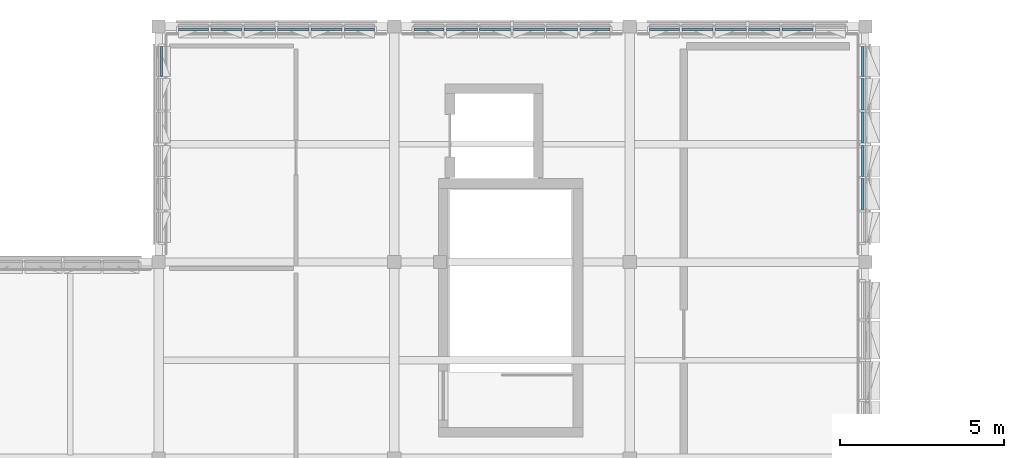
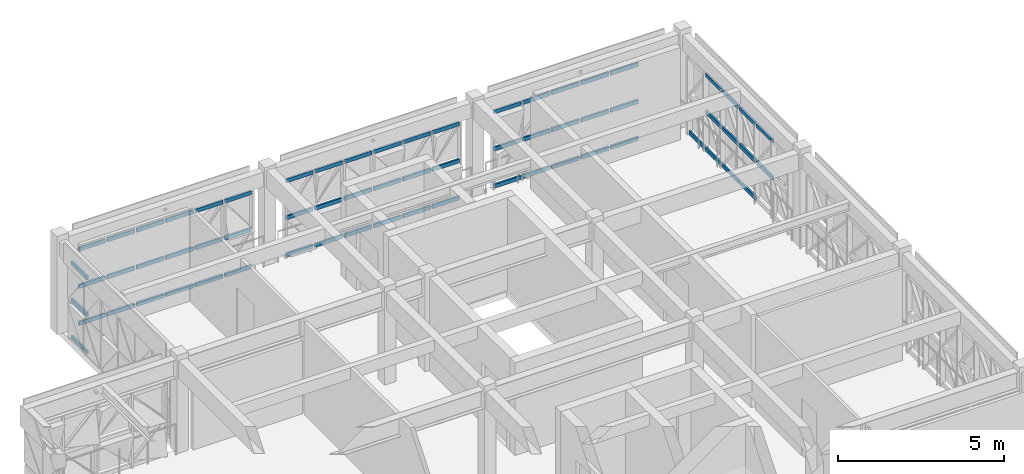
# One storey, part 10 of 25: 66 members, 5 elements without a shape of their own.
"""IFC4 building model written with IfcOpenShell, lengths in metres."""

from ifc_helpers import new_model, si_unit, direction, frame, origin, origin_2d, place, context, subcontext, project, spatial, rectangle, extrude, material, material_profile, profile_set, type_object, element, aggregate, save


model = new_model("IFC4")

# Units and contexts
model_context = context("Model", 3, precision=1e-05, world=origin(), true_north=direction((0.0, 1.0)))
body_context = subcontext(model_context, "Body", "Model", "MODEL_VIEW")
ifc_project = project(units=[si_unit("LENGTHUNIT", "METRE"), si_unit("AREAUNIT", "SQUARE_METRE"), si_unit("VOLUMEUNIT", "CUBIC_METRE"), si_unit("PLANEANGLEUNIT", "RADIAN"), si_unit("MASSUNIT", "GRAM", prefix="KILO")], contexts=[model_context])

# Site, building, storey
site_placement = place(None, origin())
site = spatial("IfcSite", under=ifc_project, at=site_placement, CompositionType="ELEMENT")
building_placement = place(site_placement, origin())
building = spatial("IfcBuilding", under=site, at=building_placement, Name="Alvorim Cloister Faculty of Sciences", CompositionType="ELEMENT")
storey_placement = place(building_placement, frame((0.0, 0.0, 29.699951171875)))
storey = spatial("IfcBuildingStorey", under=building, at=storey_placement, Name="L08", CompositionType="ELEMENT", Elevation=29.699951171875)

# Curtain wall, members
ifc_material_1 = material(Name="Aluminium and Low-E Glass Curtain Wall", Category="aluminium")
curtain_wall_type = type_object("IfcCurtainWallType", Name="CW-TRI-6120x2860", PredefinedType="USERDEFINED", material=ifc_material_1)
curtain_wall_1_placement = place(storey_placement, origin())
curtain_wall_1 = element("IfcCurtainWall", 1, at=curtain_wall_1_placement, inside=storey, type_object=curtain_wall_type, Name="L08 Diagonal Cassette Curtain Wall CW-0286", ObjectType="UNITISED CURTAIN WALL", PredefinedType="USERDEFINED")
ifc_material_2 = material(Name="Aluminium Alloy 6063-T6", Category="aluminium")
ifc_material_profile = material_profile(ifc_material_2, rectangle(XDim=0.06494140625, YDim=0.139892578125, at=origin_2d()), Name="ALU-TRN-65x140")
ifc_profile_set = profile_set([ifc_material_profile], Name="Aluminium Alloy 6063-T6")
member_type = type_object("IfcMemberType", Name="CW-TRN-65x140", PredefinedType="USERDEFINED", material=ifc_profile_set)
member_1_placement = place(storey_placement, frame((7.2900390625, 54.87255859375, 0.070068359375), z_axis=(0.0, 1.0, 0.0), x_axis=(-1.0, 0.0, 0.0)))
member_1 = element("IfcMember", 2, at=member_1_placement, type_object=member_type, Name="CW-0286 Transom 6.1", ObjectType="TRANSOM", PredefinedType="USERDEFINED", context=body_context, shape_type="SweptSolid", body=[
    extrude(rectangle(XDim=0.06494140625, YDim=0.139892578125, at=origin_2d()), origin(), (0.0, 0.0, 1.0), 0.92236328125),
])
member_2_placement = place(storey_placement, frame((7.2900390625, 54.87255859375, 1.429931640625), z_axis=(0.0, 1.0, 0.0), x_axis=(-1.0, 0.0, 0.0)))
member_2 = element("IfcMember", 3, at=member_2_placement, type_object=member_type, Name="CW-0286 Transom 6.2", ObjectType="TRANSOM", PredefinedType="USERDEFINED", context=body_context, shape_type="SweptSolid", body=[
    extrude(rectangle(XDim=0.06494140625, YDim=0.139892578125, at=origin_2d()), origin(), (0.0, 0.0, 1.0), 0.92236328125),
])
member_3_placement = place(storey_placement, frame((7.2900390625, 54.87255859375, 2.7900390625), z_axis=(0.0, 1.0, 0.0), x_axis=(-1.0, 0.0, 0.0)))
member_3 = element("IfcMember", 4, at=member_3_placement, type_object=member_type, Name="CW-0286 Transom 6.3", ObjectType="TRANSOM", PredefinedType="USERDEFINED", context=body_context, shape_type="SweptSolid", body=[
    extrude(rectangle(XDim=0.06494140625, YDim=0.139892578125, at=origin_2d()), origin(), (0.0, 0.0, 1.0), 0.92236328125),
])
aggregate(curtain_wall_1, [member_1, member_2, member_3])

curtain_wall_2_placement = place(storey_placement, origin())
curtain_wall_2 = element("IfcCurtainWall", 5, at=curtain_wall_2_placement, inside=storey, type_object=curtain_wall_type, Name="L08 Diagonal Cassette Curtain Wall CW-0287", ObjectType="UNITISED CURTAIN WALL", PredefinedType="USERDEFINED")
member_4_placement = place(storey_placement, frame((7.804931640625, 56.31005859375, 0.070068359375), z_axis=(1.0, 0.0, 0.0), x_axis=(0.0, 1.0, 0.0)))
member_4 = element("IfcMember", 6, at=member_4_placement, type_object=member_type, Name="CW-0287 Transom 1.1", ObjectType="TRANSOM", PredefinedType="USERDEFINED", context=body_context, shape_type="SweptSolid", body=[
    extrude(rectangle(XDim=0.06494140625, YDim=0.139892578125, at=origin_2d()), origin(), (0.0, 0.0, 1.0), 0.922607421875),
])
member_5_placement = place(storey_placement, frame((7.804931640625, 56.31005859375, 1.429931640625), z_axis=(1.0, 0.0, 0.0), x_axis=(0.0, 1.0, 0.0)))
member_5 = element("IfcMember", 7, at=member_5_placement, type_object=member_type, Name="CW-0287 Transom 1.2", ObjectType="TRANSOM", PredefinedType="USERDEFINED", context=body_context, shape_type="SweptSolid", body=[
    extrude(rectangle(XDim=0.06494140625, YDim=0.139892578125, at=origin_2d()), origin(), (0.0, 0.0, 1.0), 0.922607421875),
])
member_6_placement = place(storey_placement, frame((7.804931640625, 56.31005859375, 2.7900390625), z_axis=(1.0, 0.0, 0.0), x_axis=(0.0, 1.0, 0.0)))
member_6 = element("IfcMember", 8, at=member_6_placement, type_object=member_type, Name="CW-0287 Transom 1.3", ObjectType="TRANSOM", PredefinedType="USERDEFINED", context=body_context, shape_type="SweptSolid", body=[
    extrude(rectangle(XDim=0.06494140625, YDim=0.139892578125, at=origin_2d()), origin(), (0.0, 0.0, 1.0), 0.922607421875),
])
member_7_placement = place(storey_placement, frame((8.79248046875, 56.31005859375, 0.070068359375), z_axis=(1.0, 0.0, 0.0), x_axis=(0.0, 1.0, 0.0)))
member_7 = element("IfcMember", 9, at=member_7_placement, type_object=member_type, Name="CW-0287 Transom 2.1", ObjectType="TRANSOM", PredefinedType="USERDEFINED", context=body_context, shape_type="SweptSolid", body=[
    extrude(rectangle(XDim=0.06494140625, YDim=0.139892578125, at=origin_2d()), origin(), (0.0, 0.0, 1.0), 0.955078125),
])
member_8_placement = place(storey_placement, frame((8.79248046875, 56.31005859375, 1.429931640625), z_axis=(1.0, 0.0, 0.0), x_axis=(0.0, 1.0, 0.0)))
member_8 = element("IfcMember", 10, at=member_8_placement, type_object=member_type, Name="CW-0287 Transom 2.2", ObjectType="TRANSOM", PredefinedType="USERDEFINED", context=body_context, shape_type="SweptSolid", body=[
    extrude(rectangle(XDim=0.06494140625, YDim=0.139892578125, at=origin_2d()), origin(), (0.0, 0.0, 1.0), 0.955078125),
])
member_9_placement = place(storey_placement, frame((8.79248046875, 56.31005859375, 2.7900390625), z_axis=(1.0, 0.0, 0.0), x_axis=(0.0, 1.0, 0.0)))
member_9 = element("IfcMember", 11, at=member_9_placement, type_object=member_type, Name="CW-0287 Transom 2.3", ObjectType="TRANSOM", PredefinedType="USERDEFINED", context=body_context, shape_type="SweptSolid", body=[
    extrude(rectangle(XDim=0.06494140625, YDim=0.139892578125, at=origin_2d()), origin(), (0.0, 0.0, 1.0), 0.955078125),
])
member_10_placement = place(storey_placement, frame((9.8125, 56.31005859375, 0.070068359375), z_axis=(1.0, 0.0, 0.0), x_axis=(0.0, 1.0, 0.0)))
member_10 = element("IfcMember", 12, at=member_10_placement, type_object=member_type, Name="CW-0287 Transom 3.1", ObjectType="TRANSOM", PredefinedType="USERDEFINED", context=body_context, shape_type="SweptSolid", body=[
    extrude(rectangle(XDim=0.06494140625, YDim=0.139892578125, at=origin_2d()), origin(), (0.0, 0.0, 1.0), 0.955078125),
])
member_11_placement = place(storey_placement, frame((9.8125, 56.31005859375, 1.429931640625), z_axis=(1.0, 0.0, 0.0), x_axis=(0.0, 1.0, 0.0)))
member_11 = element("IfcMember", 13, at=member_11_placement, type_object=member_type, Name="CW-0287 Transom 3.2", ObjectType="TRANSOM", PredefinedType="USERDEFINED", context=body_context, shape_type="SweptSolid", body=[
    extrude(rectangle(XDim=0.06494140625, YDim=0.139892578125, at=origin_2d()), origin(), (0.0, 0.0, 1.0), 0.955078125),
])
member_12_placement = place(storey_placement, frame((9.8125, 56.31005859375, 2.7900390625), z_axis=(1.0, 0.0, 0.0), x_axis=(0.0, 1.0, 0.0)))
member_12 = element("IfcMember", 14, at=member_12_placement, type_object=member_type, Name="CW-0287 Transom 3.3", ObjectType="TRANSOM", PredefinedType="USERDEFINED", context=body_context, shape_type="SweptSolid", body=[
    extrude(rectangle(XDim=0.06494140625, YDim=0.139892578125, at=origin_2d()), origin(), (0.0, 0.0, 1.0), 0.955078125),
])
member_13_placement = place(storey_placement, frame((10.83251953125, 56.31005859375, 0.070068359375), z_axis=(1.0, 0.0, 0.0), x_axis=(0.0, 1.0, 0.0)))
member_13 = element("IfcMember", 15, at=member_13_placement, type_object=member_type, Name="CW-0287 Transom 4.1", ObjectType="TRANSOM", PredefinedType="USERDEFINED", context=body_context, shape_type="SweptSolid", body=[
    extrude(rectangle(XDim=0.06494140625, YDim=0.139892578125, at=origin_2d()), origin(), (0.0, 0.0, 1.0), 0.955078125),
])
member_14_placement = place(storey_placement, frame((10.83251953125, 56.31005859375, 1.429931640625), z_axis=(1.0, 0.0, 0.0), x_axis=(0.0, 1.0, 0.0)))
member_14 = element("IfcMember", 16, at=member_14_placement, type_object=member_type, Name="CW-0287 Transom 4.2", ObjectType="TRANSOM", PredefinedType="USERDEFINED", context=body_context, shape_type="SweptSolid", body=[
    extrude(rectangle(XDim=0.06494140625, YDim=0.139892578125, at=origin_2d()), origin(), (0.0, 0.0, 1.0), 0.955078125),
])
member_15_placement = place(storey_placement, frame((10.83251953125, 56.31005859375, 2.7900390625), z_axis=(1.0, 0.0, 0.0), x_axis=(0.0, 1.0, 0.0)))
member_15 = element("IfcMember", 17, at=member_15_placement, type_object=member_type, Name="CW-0287 Transom 4.3", ObjectType="TRANSOM", PredefinedType="USERDEFINED", context=body_context, shape_type="SweptSolid", body=[
    extrude(rectangle(XDim=0.06494140625, YDim=0.139892578125, at=origin_2d()), origin(), (0.0, 0.0, 1.0), 0.955078125),
])
member_16_placement = place(storey_placement, frame((11.8525390625, 56.31005859375, 0.070068359375), z_axis=(1.0, 0.0, 0.0), x_axis=(0.0, 1.0, 0.0)))
member_16 = element("IfcMember", 18, at=member_16_placement, type_object=member_type, Name="CW-0287 Transom 5.1", ObjectType="TRANSOM", PredefinedType="USERDEFINED", context=body_context, shape_type="SweptSolid", body=[
    extrude(rectangle(XDim=0.06494140625, YDim=0.139892578125, at=origin_2d()), origin(), (0.0, 0.0, 1.0), 0.955078125),
])
member_17_placement = place(storey_placement, frame((11.8525390625, 56.31005859375, 1.429931640625), z_axis=(1.0, 0.0, 0.0), x_axis=(0.0, 1.0, 0.0)))
member_17 = element("IfcMember", 19, at=member_17_placement, type_object=member_type, Name="CW-0287 Transom 5.2", ObjectType="TRANSOM", PredefinedType="USERDEFINED", context=body_context, shape_type="SweptSolid", body=[
    extrude(rectangle(XDim=0.06494140625, YDim=0.139892578125, at=origin_2d()), origin(), (0.0, 0.0, 1.0), 0.955078125),
])
member_18_placement = place(storey_placement, frame((11.8525390625, 56.31005859375, 2.7900390625), z_axis=(1.0, 0.0, 0.0), x_axis=(0.0, 1.0, 0.0)))
member_18 = element("IfcMember", 20, at=member_18_placement, type_object=member_type, Name="CW-0287 Transom 5.3", ObjectType="TRANSOM", PredefinedType="USERDEFINED", context=body_context, shape_type="SweptSolid", body=[
    extrude(rectangle(XDim=0.06494140625, YDim=0.139892578125, at=origin_2d()), origin(), (0.0, 0.0, 1.0), 0.955078125),
])
member_19_placement = place(storey_placement, frame((12.87255859375, 56.31005859375, 0.070068359375), z_axis=(1.0, 0.0, 0.0), x_axis=(0.0, 1.0, 0.0)))
member_19 = element("IfcMember", 21, at=member_19_placement, type_object=member_type, Name="CW-0287 Transom 6.1", ObjectType="TRANSOM", PredefinedType="USERDEFINED", context=body_context, shape_type="SweptSolid", body=[
    extrude(rectangle(XDim=0.06494140625, YDim=0.139892578125, at=origin_2d()), origin(), (0.0, 0.0, 1.0), 0.92236328125),
])
member_20_placement = place(storey_placement, frame((12.87255859375, 56.31005859375, 1.429931640625), z_axis=(1.0, 0.0, 0.0), x_axis=(0.0, 1.0, 0.0)))
member_20 = element("IfcMember", 22, at=member_20_placement, type_object=member_type, Name="CW-0287 Transom 6.2", ObjectType="TRANSOM", PredefinedType="USERDEFINED", context=body_context, shape_type="SweptSolid", body=[
    extrude(rectangle(XDim=0.06494140625, YDim=0.139892578125, at=origin_2d()), origin(), (0.0, 0.0, 1.0), 0.92236328125),
])
member_21_placement = place(storey_placement, frame((12.87255859375, 56.31005859375, 2.7900390625), z_axis=(1.0, 0.0, 0.0), x_axis=(0.0, 1.0, 0.0)))
member_21 = element("IfcMember", 23, at=member_21_placement, type_object=member_type, Name="CW-0287 Transom 6.3", ObjectType="TRANSOM", PredefinedType="USERDEFINED", context=body_context, shape_type="SweptSolid", body=[
    extrude(rectangle(XDim=0.06494140625, YDim=0.139892578125, at=origin_2d()), origin(), (0.0, 0.0, 1.0), 0.92236328125),
])
aggregate(curtain_wall_2, [member_4, member_5, member_6, member_7, member_8, member_9, member_10, member_11, member_12, member_13, member_14, member_15, member_16, member_17, member_18, member_19, member_20, member_21])

curtain_wall_3_placement = place(storey_placement, origin())
curtain_wall_3 = element("IfcCurtainWall", 24, at=curtain_wall_3_placement, inside=storey, type_object=curtain_wall_type, Name="L08 Diagonal Cassette Curtain Wall CW-0288", ObjectType="UNITISED CURTAIN WALL", PredefinedType="USERDEFINED")
member_22_placement = place(storey_placement, frame((15.0048828125, 56.31005859375, 0.070068359375), z_axis=(1.0, 0.0, 0.0), x_axis=(0.0, 1.0, 0.0)))
member_22 = element("IfcMember", 25, at=member_22_placement, type_object=member_type, Name="CW-0288 Transom 1.1", ObjectType="TRANSOM", PredefinedType="USERDEFINED", context=body_context, shape_type="SweptSolid", body=[
    extrude(rectangle(XDim=0.06494140625, YDim=0.139892578125, at=origin_2d()), origin(), (0.0, 0.0, 1.0), 0.922607421875),
])
member_23_placement = place(storey_placement, frame((15.0048828125, 56.31005859375, 1.429931640625), z_axis=(1.0, 0.0, 0.0), x_axis=(0.0, 1.0, 0.0)))
member_23 = element("IfcMember", 26, at=member_23_placement, type_object=member_type, Name="CW-0288 Transom 1.2", ObjectType="TRANSOM", PredefinedType="USERDEFINED", context=body_context, shape_type="SweptSolid", body=[
    extrude(rectangle(XDim=0.06494140625, YDim=0.139892578125, at=origin_2d()), origin(), (0.0, 0.0, 1.0), 0.922607421875),
])
member_24_placement = place(storey_placement, frame((15.0048828125, 56.31005859375, 2.7900390625), z_axis=(1.0, 0.0, 0.0), x_axis=(0.0, 1.0, 0.0)))
member_24 = element("IfcMember", 27, at=member_24_placement, type_object=member_type, Name="CW-0288 Transom 1.3", ObjectType="TRANSOM", PredefinedType="USERDEFINED", context=body_context, shape_type="SweptSolid", body=[
    extrude(rectangle(XDim=0.06494140625, YDim=0.139892578125, at=origin_2d()), origin(), (0.0, 0.0, 1.0), 0.922607421875),
])
member_25_placement = place(storey_placement, frame((15.992431640625, 56.31005859375, 0.070068359375), z_axis=(1.0, 0.0, 0.0), x_axis=(0.0, 1.0, 0.0)))
member_25 = element("IfcMember", 28, at=member_25_placement, type_object=member_type, Name="CW-0288 Transom 2.1", ObjectType="TRANSOM", PredefinedType="USERDEFINED", context=body_context, shape_type="SweptSolid", body=[
    extrude(rectangle(XDim=0.06494140625, YDim=0.139892578125, at=origin_2d()), origin(), (0.0, 0.0, 1.0), 0.955078125),
])
member_26_placement = place(storey_placement, frame((15.992431640625, 56.31005859375, 1.429931640625), z_axis=(1.0, 0.0, 0.0), x_axis=(0.0, 1.0, 0.0)))
member_26 = element("IfcMember", 29, at=member_26_placement, type_object=member_type, Name="CW-0288 Transom 2.2", ObjectType="TRANSOM", PredefinedType="USERDEFINED", context=body_context, shape_type="SweptSolid", body=[
    extrude(rectangle(XDim=0.06494140625, YDim=0.139892578125, at=origin_2d()), origin(), (0.0, 0.0, 1.0), 0.955078125),
])
member_27_placement = place(storey_placement, frame((15.992431640625, 56.31005859375, 2.7900390625), z_axis=(1.0, 0.0, 0.0), x_axis=(0.0, 1.0, 0.0)))
member_27 = element("IfcMember", 30, at=member_27_placement, type_object=member_type, Name="CW-0288 Transom 2.3", ObjectType="TRANSOM", PredefinedType="USERDEFINED", context=body_context, shape_type="SweptSolid", body=[
    extrude(rectangle(XDim=0.06494140625, YDim=0.139892578125, at=origin_2d()), origin(), (0.0, 0.0, 1.0), 0.955078125),
])
member_28_placement = place(storey_placement, frame((17.012451171875, 56.31005859375, 0.070068359375), z_axis=(1.0, 0.0, 0.0), x_axis=(0.0, 1.0, 0.0)))
member_28 = element("IfcMember", 31, at=member_28_placement, type_object=member_type, Name="CW-0288 Transom 3.1", ObjectType="TRANSOM", PredefinedType="USERDEFINED", context=body_context, shape_type="SweptSolid", body=[
    extrude(rectangle(XDim=0.06494140625, YDim=0.139892578125, at=origin_2d()), origin(), (0.0, 0.0, 1.0), 0.955078125),
])
member_29_placement = place(storey_placement, frame((17.012451171875, 56.31005859375, 1.429931640625), z_axis=(1.0, 0.0, 0.0), x_axis=(0.0, 1.0, 0.0)))
member_29 = element("IfcMember", 32, at=member_29_placement, type_object=member_type, Name="CW-0288 Transom 3.2", ObjectType="TRANSOM", PredefinedType="USERDEFINED", context=body_context, shape_type="SweptSolid", body=[
    extrude(rectangle(XDim=0.06494140625, YDim=0.139892578125, at=origin_2d()), origin(), (0.0, 0.0, 1.0), 0.955078125),
])
member_30_placement = place(storey_placement, frame((17.012451171875, 56.31005859375, 2.7900390625), z_axis=(1.0, 0.0, 0.0), x_axis=(0.0, 1.0, 0.0)))
member_30 = element("IfcMember", 33, at=member_30_placement, type_object=member_type, Name="CW-0288 Transom 3.3", ObjectType="TRANSOM", PredefinedType="USERDEFINED", context=body_context, shape_type="SweptSolid", body=[
    extrude(rectangle(XDim=0.06494140625, YDim=0.139892578125, at=origin_2d()), origin(), (0.0, 0.0, 1.0), 0.955078125),
])
member_31_placement = place(storey_placement, frame((18.032470703125, 56.31005859375, 0.070068359375), z_axis=(1.0, 0.0, 0.0), x_axis=(0.0, 1.0, 0.0)))
member_31 = element("IfcMember", 34, at=member_31_placement, type_object=member_type, Name="CW-0288 Transom 4.1", ObjectType="TRANSOM", PredefinedType="USERDEFINED", context=body_context, shape_type="SweptSolid", body=[
    extrude(rectangle(XDim=0.06494140625, YDim=0.139892578125, at=origin_2d()), origin(), (0.0, 0.0, 1.0), 0.955078125),
])
member_32_placement = place(storey_placement, frame((18.032470703125, 56.31005859375, 1.429931640625), z_axis=(1.0, 0.0, 0.0), x_axis=(0.0, 1.0, 0.0)))
member_32 = element("IfcMember", 35, at=member_32_placement, type_object=member_type, Name="CW-0288 Transom 4.2", ObjectType="TRANSOM", PredefinedType="USERDEFINED", context=body_context, shape_type="SweptSolid", body=[
    extrude(rectangle(XDim=0.06494140625, YDim=0.139892578125, at=origin_2d()), origin(), (0.0, 0.0, 1.0), 0.955078125),
])
member_33_placement = place(storey_placement, frame((18.032470703125, 56.31005859375, 2.7900390625), z_axis=(1.0, 0.0, 0.0), x_axis=(0.0, 1.0, 0.0)))
member_33 = element("IfcMember", 36, at=member_33_placement, type_object=member_type, Name="CW-0288 Transom 4.3", ObjectType="TRANSOM", PredefinedType="USERDEFINED", context=body_context, shape_type="SweptSolid", body=[
    extrude(rectangle(XDim=0.06494140625, YDim=0.139892578125, at=origin_2d()), origin(), (0.0, 0.0, 1.0), 0.955078125),
])
member_34_placement = place(storey_placement, frame((19.052490234375, 56.31005859375, 0.070068359375), z_axis=(1.0, 0.0, 0.0), x_axis=(0.0, 1.0, 0.0)))
member_34 = element("IfcMember", 37, at=member_34_placement, type_object=member_type, Name="CW-0288 Transom 5.1", ObjectType="TRANSOM", PredefinedType="USERDEFINED", context=body_context, shape_type="SweptSolid", body=[
    extrude(rectangle(XDim=0.06494140625, YDim=0.139892578125, at=origin_2d()), origin(), (0.0, 0.0, 1.0), 0.955078125),
])
member_35_placement = place(storey_placement, frame((19.052490234375, 56.31005859375, 1.429931640625), z_axis=(1.0, 0.0, 0.0), x_axis=(0.0, 1.0, 0.0)))
member_35 = element("IfcMember", 38, at=member_35_placement, type_object=member_type, Name="CW-0288 Transom 5.2", ObjectType="TRANSOM", PredefinedType="USERDEFINED", context=body_context, shape_type="SweptSolid", body=[
    extrude(rectangle(XDim=0.06494140625, YDim=0.139892578125, at=origin_2d()), origin(), (0.0, 0.0, 1.0), 0.955078125),
])
member_36_placement = place(storey_placement, frame((19.052490234375, 56.31005859375, 2.7900390625), z_axis=(1.0, 0.0, 0.0), x_axis=(0.0, 1.0, 0.0)))
member_36 = element("IfcMember", 39, at=member_36_placement, type_object=member_type, Name="CW-0288 Transom 5.3", ObjectType="TRANSOM", PredefinedType="USERDEFINED", context=body_context, shape_type="SweptSolid", body=[
    extrude(rectangle(XDim=0.06494140625, YDim=0.139892578125, at=origin_2d()), origin(), (0.0, 0.0, 1.0), 0.955078125),
])
member_37_placement = place(storey_placement, frame((20.072509765625, 56.31005859375, 0.070068359375), z_axis=(1.0, 0.0, 0.0), x_axis=(0.0, 1.0, 0.0)))
member_37 = element("IfcMember", 40, at=member_37_placement, type_object=member_type, Name="CW-0288 Transom 6.1", ObjectType="TRANSOM", PredefinedType="USERDEFINED", context=body_context, shape_type="SweptSolid", body=[
    extrude(rectangle(XDim=0.06494140625, YDim=0.139892578125, at=origin_2d()), origin(), (0.0, 0.0, 1.0), 0.922607421875),
])
member_38_placement = place(storey_placement, frame((20.072509765625, 56.31005859375, 1.429931640625), z_axis=(1.0, 0.0, 0.0), x_axis=(0.0, 1.0, 0.0)))
member_38 = element("IfcMember", 41, at=member_38_placement, type_object=member_type, Name="CW-0288 Transom 6.2", ObjectType="TRANSOM", PredefinedType="USERDEFINED", context=body_context, shape_type="SweptSolid", body=[
    extrude(rectangle(XDim=0.06494140625, YDim=0.139892578125, at=origin_2d()), origin(), (0.0, 0.0, 1.0), 0.922607421875),
])
member_39_placement = place(storey_placement, frame((20.072509765625, 56.31005859375, 2.7900390625), z_axis=(1.0, 0.0, 0.0), x_axis=(0.0, 1.0, 0.0)))
member_39 = element("IfcMember", 42, at=member_39_placement, type_object=member_type, Name="CW-0288 Transom 6.3", ObjectType="TRANSOM", PredefinedType="USERDEFINED", context=body_context, shape_type="SweptSolid", body=[
    extrude(rectangle(XDim=0.06494140625, YDim=0.139892578125, at=origin_2d()), origin(), (0.0, 0.0, 1.0), 0.922607421875),
])
aggregate(curtain_wall_3, [member_22, member_23, member_24, member_25, member_26, member_27, member_28, member_29, member_30, member_31, member_32, member_33, member_34, member_35, member_36, member_37, member_38, member_39])

curtain_wall_4_placement = place(storey_placement, origin())
curtain_wall_4 = element("IfcCurtainWall", 43, at=curtain_wall_4_placement, inside=storey, type_object=curtain_wall_type, Name="L08 Diagonal Cassette Curtain Wall CW-0289", ObjectType="UNITISED CURTAIN WALL", PredefinedType="USERDEFINED")
member_40_placement = place(storey_placement, frame((22.205078125, 56.31005859375, 0.070068359375), z_axis=(1.0, 0.0, 0.0), x_axis=(0.0, 1.0, 0.0)))
member_40 = element("IfcMember", 44, at=member_40_placement, type_object=member_type, Name="CW-0289 Transom 1.1", ObjectType="TRANSOM", PredefinedType="USERDEFINED", context=body_context, shape_type="SweptSolid", body=[
    extrude(rectangle(XDim=0.06494140625, YDim=0.139892578125, at=origin_2d()), origin(), (0.0, 0.0, 1.0), 0.92236328125),
])
member_41_placement = place(storey_placement, frame((22.205078125, 56.31005859375, 1.429931640625), z_axis=(1.0, 0.0, 0.0), x_axis=(0.0, 1.0, 0.0)))
member_41 = element("IfcMember", 45, at=member_41_placement, type_object=member_type, Name="CW-0289 Transom 1.2", ObjectType="TRANSOM", PredefinedType="USERDEFINED", context=body_context, shape_type="SweptSolid", body=[
    extrude(rectangle(XDim=0.06494140625, YDim=0.139892578125, at=origin_2d()), origin(), (0.0, 0.0, 1.0), 0.92236328125),
])
member_42_placement = place(storey_placement, frame((22.205078125, 56.31005859375, 2.7900390625), z_axis=(1.0, 0.0, 0.0), x_axis=(0.0, 1.0, 0.0)))
member_42 = element("IfcMember", 46, at=member_42_placement, type_object=member_type, Name="CW-0289 Transom 1.3", ObjectType="TRANSOM", PredefinedType="USERDEFINED", context=body_context, shape_type="SweptSolid", body=[
    extrude(rectangle(XDim=0.06494140625, YDim=0.139892578125, at=origin_2d()), origin(), (0.0, 0.0, 1.0), 0.92236328125),
])
member_43_placement = place(storey_placement, frame((23.1923828125, 56.31005859375, 0.070068359375), z_axis=(1.0, 0.0, 0.0), x_axis=(0.0, 1.0, 0.0)))
member_43 = element("IfcMember", 47, at=member_43_placement, type_object=member_type, Name="CW-0289 Transom 2.1", ObjectType="TRANSOM", PredefinedType="USERDEFINED", context=body_context, shape_type="SweptSolid", body=[
    extrude(rectangle(XDim=0.06494140625, YDim=0.139892578125, at=origin_2d()), origin(), (0.0, 0.0, 1.0), 0.955078125),
])
member_44_placement = place(storey_placement, frame((23.1923828125, 56.31005859375, 1.429931640625), z_axis=(1.0, 0.0, 0.0), x_axis=(0.0, 1.0, 0.0)))
member_44 = element("IfcMember", 48, at=member_44_placement, type_object=member_type, Name="CW-0289 Transom 2.2", ObjectType="TRANSOM", PredefinedType="USERDEFINED", context=body_context, shape_type="SweptSolid", body=[
    extrude(rectangle(XDim=0.06494140625, YDim=0.139892578125, at=origin_2d()), origin(), (0.0, 0.0, 1.0), 0.955078125),
])
member_45_placement = place(storey_placement, frame((23.1923828125, 56.31005859375, 2.7900390625), z_axis=(1.0, 0.0, 0.0), x_axis=(0.0, 1.0, 0.0)))
member_45 = element("IfcMember", 49, at=member_45_placement, type_object=member_type, Name="CW-0289 Transom 2.3", ObjectType="TRANSOM", PredefinedType="USERDEFINED", context=body_context, shape_type="SweptSolid", body=[
    extrude(rectangle(XDim=0.06494140625, YDim=0.139892578125, at=origin_2d()), origin(), (0.0, 0.0, 1.0), 0.955078125),
])
member_46_placement = place(storey_placement, frame((24.21240234375, 56.31005859375, 0.070068359375), z_axis=(1.0, 0.0, 0.0), x_axis=(0.0, 1.0, 0.0)))
member_46 = element("IfcMember", 50, at=member_46_placement, type_object=member_type, Name="CW-0289 Transom 3.1", ObjectType="TRANSOM", PredefinedType="USERDEFINED", context=body_context, shape_type="SweptSolid", body=[
    extrude(rectangle(XDim=0.06494140625, YDim=0.139892578125, at=origin_2d()), origin(), (0.0, 0.0, 1.0), 0.955078125),
])
member_47_placement = place(storey_placement, frame((24.21240234375, 56.31005859375, 1.429931640625), z_axis=(1.0, 0.0, 0.0), x_axis=(0.0, 1.0, 0.0)))
member_47 = element("IfcMember", 51, at=member_47_placement, type_object=member_type, Name="CW-0289 Transom 3.2", ObjectType="TRANSOM", PredefinedType="USERDEFINED", context=body_context, shape_type="SweptSolid", body=[
    extrude(rectangle(XDim=0.06494140625, YDim=0.139892578125, at=origin_2d()), origin(), (0.0, 0.0, 1.0), 0.955078125),
])
member_48_placement = place(storey_placement, frame((24.21240234375, 56.31005859375, 2.7900390625), z_axis=(1.0, 0.0, 0.0), x_axis=(0.0, 1.0, 0.0)))
member_48 = element("IfcMember", 52, at=member_48_placement, type_object=member_type, Name="CW-0289 Transom 3.3", ObjectType="TRANSOM", PredefinedType="USERDEFINED", context=body_context, shape_type="SweptSolid", body=[
    extrude(rectangle(XDim=0.06494140625, YDim=0.139892578125, at=origin_2d()), origin(), (0.0, 0.0, 1.0), 0.955078125),
])
member_49_placement = place(storey_placement, frame((25.232421875, 56.31005859375, 0.070068359375), z_axis=(1.0, 0.0, 0.0), x_axis=(0.0, 1.0, 0.0)))
member_49 = element("IfcMember", 53, at=member_49_placement, type_object=member_type, Name="CW-0289 Transom 4.1", ObjectType="TRANSOM", PredefinedType="USERDEFINED", context=body_context, shape_type="SweptSolid", body=[
    extrude(rectangle(XDim=0.06494140625, YDim=0.139892578125, at=origin_2d()), origin(), (0.0, 0.0, 1.0), 0.955078125),
])
member_50_placement = place(storey_placement, frame((25.232421875, 56.31005859375, 1.429931640625), z_axis=(1.0, 0.0, 0.0), x_axis=(0.0, 1.0, 0.0)))
member_50 = element("IfcMember", 54, at=member_50_placement, type_object=member_type, Name="CW-0289 Transom 4.2", ObjectType="TRANSOM", PredefinedType="USERDEFINED", context=body_context, shape_type="SweptSolid", body=[
    extrude(rectangle(XDim=0.06494140625, YDim=0.139892578125, at=origin_2d()), origin(), (0.0, 0.0, 1.0), 0.955078125),
])
member_51_placement = place(storey_placement, frame((25.232421875, 56.31005859375, 2.7900390625), z_axis=(1.0, 0.0, 0.0), x_axis=(0.0, 1.0, 0.0)))
member_51 = element("IfcMember", 55, at=member_51_placement, type_object=member_type, Name="CW-0289 Transom 4.3", ObjectType="TRANSOM", PredefinedType="USERDEFINED", context=body_context, shape_type="SweptSolid", body=[
    extrude(rectangle(XDim=0.06494140625, YDim=0.139892578125, at=origin_2d()), origin(), (0.0, 0.0, 1.0), 0.955078125),
])
member_52_placement = place(storey_placement, frame((26.25244140625, 56.31005859375, 0.070068359375), z_axis=(1.0, 0.0, 0.0), x_axis=(0.0, 1.0, 0.0)))
member_52 = element("IfcMember", 56, at=member_52_placement, type_object=member_type, Name="CW-0289 Transom 5.1", ObjectType="TRANSOM", PredefinedType="USERDEFINED", context=body_context, shape_type="SweptSolid", body=[
    extrude(rectangle(XDim=0.06494140625, YDim=0.139892578125, at=origin_2d()), origin(), (0.0, 0.0, 1.0), 0.955078125),
])
member_53_placement = place(storey_placement, frame((26.25244140625, 56.31005859375, 1.429931640625), z_axis=(1.0, 0.0, 0.0), x_axis=(0.0, 1.0, 0.0)))
member_53 = element("IfcMember", 57, at=member_53_placement, type_object=member_type, Name="CW-0289 Transom 5.2", ObjectType="TRANSOM", PredefinedType="USERDEFINED", context=body_context, shape_type="SweptSolid", body=[
    extrude(rectangle(XDim=0.06494140625, YDim=0.139892578125, at=origin_2d()), origin(), (0.0, 0.0, 1.0), 0.955078125),
])
member_54_placement = place(storey_placement, frame((26.25244140625, 56.31005859375, 2.7900390625), z_axis=(1.0, 0.0, 0.0), x_axis=(0.0, 1.0, 0.0)))
member_54 = element("IfcMember", 58, at=member_54_placement, type_object=member_type, Name="CW-0289 Transom 5.3", ObjectType="TRANSOM", PredefinedType="USERDEFINED", context=body_context, shape_type="SweptSolid", body=[
    extrude(rectangle(XDim=0.06494140625, YDim=0.139892578125, at=origin_2d()), origin(), (0.0, 0.0, 1.0), 0.955078125),
])
aggregate(curtain_wall_4, [member_40, member_41, member_42, member_43, member_44, member_45, member_46, member_47, member_48, member_49, member_50, member_51, member_52, member_53, member_54])

curtain_wall_5_placement = place(storey_placement, origin())
curtain_wall_5 = element("IfcCurtainWall", 59, at=curtain_wall_5_placement, inside=storey, type_object=curtain_wall_type, Name="L08 Diagonal Cassette Curtain Wall CW-0290", ObjectType="UNITISED CURTAIN WALL", PredefinedType="USERDEFINED")
member_55_placement = place(storey_placement, frame((28.7099609375, 50.79248046875, 1.429931640625), z_axis=(0.0, 1.0, 0.0), x_axis=(-1.0, 0.0, 0.0)))
member_55 = element("IfcMember", 60, at=member_55_placement, type_object=member_type, Name="CW-0290 Transom 2.2", ObjectType="TRANSOM", PredefinedType="USERDEFINED", context=body_context, shape_type="SweptSolid", body=[
    extrude(rectangle(XDim=0.06494140625, YDim=0.139892578125, at=origin_2d()), origin(), (0.0, 0.0, 1.0), 0.955078125),
])
member_56_placement = place(storey_placement, frame((28.7099609375, 50.79248046875, 2.7900390625), z_axis=(0.0, 1.0, 0.0), x_axis=(-1.0, 0.0, 0.0)))
member_56 = element("IfcMember", 61, at=member_56_placement, type_object=member_type, Name="CW-0290 Transom 2.3", ObjectType="TRANSOM", PredefinedType="USERDEFINED", context=body_context, shape_type="SweptSolid", body=[
    extrude(rectangle(XDim=0.06494140625, YDim=0.139892578125, at=origin_2d()), origin(), (0.0, 0.0, 1.0), 0.955078125),
])
member_57_placement = place(storey_placement, frame((28.7099609375, 51.8125, 0.070068359375), z_axis=(0.0, 1.0, 0.0), x_axis=(-1.0, 0.0, 0.0)))
member_57 = element("IfcMember", 62, at=member_57_placement, type_object=member_type, Name="CW-0290 Transom 3.1", ObjectType="TRANSOM", PredefinedType="USERDEFINED", context=body_context, shape_type="SweptSolid", body=[
    extrude(rectangle(XDim=0.06494140625, YDim=0.139892578125, at=origin_2d()), origin(), (0.0, 0.0, 1.0), 0.955078125),
])
member_58_placement = place(storey_placement, frame((28.7099609375, 51.8125, 1.429931640625), z_axis=(0.0, 1.0, 0.0), x_axis=(-1.0, 0.0, 0.0)))
member_58 = element("IfcMember", 63, at=member_58_placement, type_object=member_type, Name="CW-0290 Transom 3.2", ObjectType="TRANSOM", PredefinedType="USERDEFINED", context=body_context, shape_type="SweptSolid", body=[
    extrude(rectangle(XDim=0.06494140625, YDim=0.139892578125, at=origin_2d()), origin(), (0.0, 0.0, 1.0), 0.955078125),
])
member_59_placement = place(storey_placement, frame((28.7099609375, 51.8125, 2.7900390625), z_axis=(0.0, 1.0, 0.0), x_axis=(-1.0, 0.0, 0.0)))
member_59 = element("IfcMember", 64, at=member_59_placement, type_object=member_type, Name="CW-0290 Transom 3.3", ObjectType="TRANSOM", PredefinedType="USERDEFINED", context=body_context, shape_type="SweptSolid", body=[
    extrude(rectangle(XDim=0.06494140625, YDim=0.139892578125, at=origin_2d()), origin(), (0.0, 0.0, 1.0), 0.955078125),
])
member_60_placement = place(storey_placement, frame((28.7099609375, 52.83251953125, 0.070068359375), z_axis=(0.0, 1.0, 0.0), x_axis=(-1.0, 0.0, 0.0)))
member_60 = element("IfcMember", 65, at=member_60_placement, type_object=member_type, Name="CW-0290 Transom 4.1", ObjectType="TRANSOM", PredefinedType="USERDEFINED", context=body_context, shape_type="SweptSolid", body=[
    extrude(rectangle(XDim=0.06494140625, YDim=0.139892578125, at=origin_2d()), origin(), (0.0, 0.0, 1.0), 0.955078125),
])
member_61_placement = place(storey_placement, frame((28.7099609375, 52.83251953125, 1.429931640625), z_axis=(0.0, 1.0, 0.0), x_axis=(-1.0, 0.0, 0.0)))
member_61 = element("IfcMember", 66, at=member_61_placement, type_object=member_type, Name="CW-0290 Transom 4.2", ObjectType="TRANSOM", PredefinedType="USERDEFINED", context=body_context, shape_type="SweptSolid", body=[
    extrude(rectangle(XDim=0.06494140625, YDim=0.139892578125, at=origin_2d()), origin(), (0.0, 0.0, 1.0), 0.955078125),
])
member_62_placement = place(storey_placement, frame((28.7099609375, 52.83251953125, 2.7900390625), z_axis=(0.0, 1.0, 0.0), x_axis=(-1.0, 0.0, 0.0)))
member_62 = element("IfcMember", 67, at=member_62_placement, type_object=member_type, Name="CW-0290 Transom 4.3", ObjectType="TRANSOM", PredefinedType="USERDEFINED", context=body_context, shape_type="SweptSolid", body=[
    extrude(rectangle(XDim=0.06494140625, YDim=0.139892578125, at=origin_2d()), origin(), (0.0, 0.0, 1.0), 0.955078125),
])
member_63_placement = place(storey_placement, frame((28.7099609375, 53.8525390625, 0.070068359375), z_axis=(0.0, 1.0, 0.0), x_axis=(-1.0, 0.0, 0.0)))
member_63 = element("IfcMember", 68, at=member_63_placement, type_object=member_type, Name="CW-0290 Transom 5.1", ObjectType="TRANSOM", PredefinedType="USERDEFINED", context=body_context, shape_type="SweptSolid", body=[
    extrude(rectangle(XDim=0.06494140625, YDim=0.139892578125, at=origin_2d()), origin(), (0.0, 0.0, 1.0), 0.955078125),
])
member_64_placement = place(storey_placement, frame((28.7099609375, 53.8525390625, 1.429931640625), z_axis=(0.0, 1.0, 0.0), x_axis=(-1.0, 0.0, 0.0)))
member_64 = element("IfcMember", 69, at=member_64_placement, type_object=member_type, Name="CW-0290 Transom 5.2", ObjectType="TRANSOM", PredefinedType="USERDEFINED", context=body_context, shape_type="SweptSolid", body=[
    extrude(rectangle(XDim=0.06494140625, YDim=0.139892578125, at=origin_2d()), origin(), (0.0, 0.0, 1.0), 0.955078125),
])
member_65_placement = place(storey_placement, frame((28.7099609375, 53.8525390625, 2.7900390625), z_axis=(0.0, 1.0, 0.0), x_axis=(-1.0, 0.0, 0.0)))
member_65 = element("IfcMember", 70, at=member_65_placement, type_object=member_type, Name="CW-0290 Transom 5.3", ObjectType="TRANSOM", PredefinedType="USERDEFINED", context=body_context, shape_type="SweptSolid", body=[
    extrude(rectangle(XDim=0.06494140625, YDim=0.139892578125, at=origin_2d()), origin(), (0.0, 0.0, 1.0), 0.955078125),
])
member_66_placement = place(storey_placement, frame((28.7099609375, 54.87255859375, 0.070068359375), z_axis=(0.0, 1.0, 0.0), x_axis=(-1.0, 0.0, 0.0)))
member_66 = element("IfcMember", 71, at=member_66_placement, type_object=member_type, Name="CW-0290 Transom 6.1", ObjectType="TRANSOM", PredefinedType="USERDEFINED", context=body_context, shape_type="SweptSolid", body=[
    extrude(rectangle(XDim=0.06494140625, YDim=0.139892578125, at=origin_2d()), origin(), (0.0, 0.0, 1.0), 0.92236328125),
])
aggregate(curtain_wall_5, [member_55, member_56, member_57, member_58, member_59, member_60, member_61, member_62, member_63, member_64, member_65, member_66])

save(model, "model.ifc")
